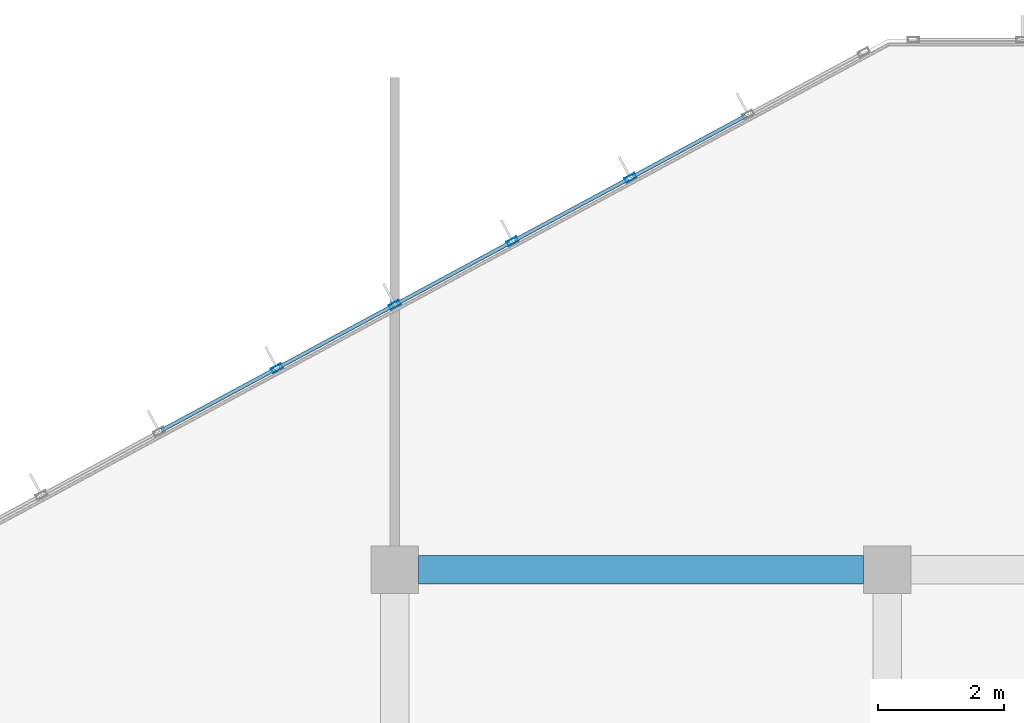
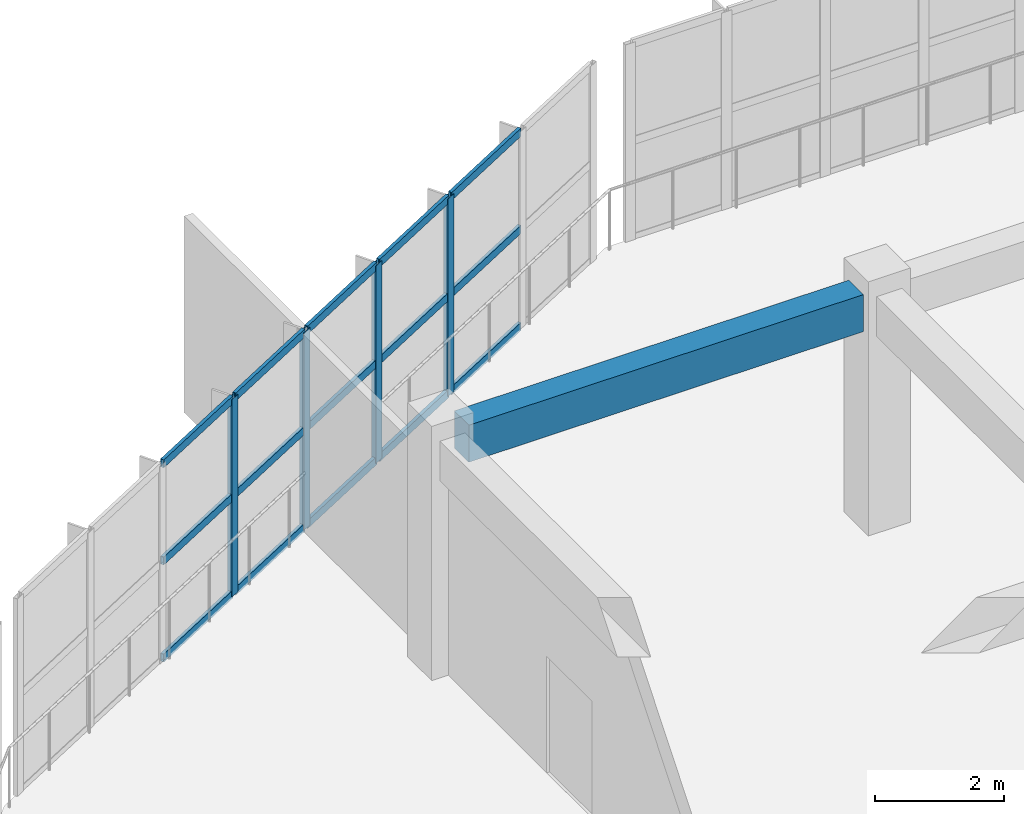
# One storey, part 44 of 167: 19 members, 1 beam, 1 element without a shape of its own.
"""IFC4 building model written with IfcOpenShell, lengths in metres."""

from ifc_helpers import new_model, si_unit, direction, frame, origin, origin_2d, place, context, subcontext, project, spatial, rectangle, hollow_rectangle, extrude, material, layer, layer_set, material_profile, profile_set, type_object, element, aggregate, save


model = new_model("IFC4")

# Units and contexts
model_context = context("Model", 3, precision=1e-05, world=origin(), true_north=direction((0.0, 1.0)))
body_context = subcontext(model_context, "Body", "Model", "MODEL_VIEW")
ifc_project = project(units=[si_unit("LENGTHUNIT", "METRE"), si_unit("AREAUNIT", "SQUARE_METRE"), si_unit("VOLUMEUNIT", "CUBIC_METRE"), si_unit("PLANEANGLEUNIT", "RADIAN"), si_unit("MASSUNIT", "GRAM", prefix="KILO")], contexts=[model_context])

# Site, building, storey
site_placement = place(None, origin())
site = spatial("IfcSite", under=ifc_project, at=site_placement, CompositionType="ELEMENT")
building_placement = place(site_placement, origin())
building = spatial("IfcBuilding", under=site, at=building_placement, Name="Zizhar Promenade General Hospital", CompositionType="ELEMENT")
storey_placement = place(building_placement, frame((0.0, 0.0, 9.60009765625)))
storey = spatial("IfcBuildingStorey", under=building, at=storey_placement, Name="L02", CompositionType="ELEMENT", Elevation=9.60009765625)

# Beam
ifc_material_1 = material(Name="Concrete C35/45", Category="concrete")
ifc_material_profile_1 = material_profile(ifc_material_1, rectangle(XDim=0.449951171875, YDim=0.699951171875, at=origin_2d()))
ifc_profile_set_1 = profile_set([ifc_material_profile_1], Name="Concrete C35/45")
beam_type = type_object("IfcBeamType", Name="BM-RC-450x700", PredefinedType="BEAM", material=ifc_profile_set_1)
beam_placement = place(storey_placement, frame((23.77490234375, 75.60009765625, 4.119873046875), z_axis=(1.0, 0.0, 0.0), x_axis=(0.0, 1.0, 0.0)))
element("IfcBeam", 1, at=beam_placement, inside=storey, type_object=beam_type, Name="Grid Beam X L02 (3-9)", PredefinedType="BEAM", context=body_context, shape_type="SweptSolid", body=[
    extrude(rectangle(XDim=0.449951171875, YDim=0.699951171875, at=origin_2d()), origin(), (0.0, 0.0, 1.0), 7.050048828125),
])

# Curtain wall, members
ifc_material_2 = material(Name="Anodised aluminium 6063-T6 and low-E glass", Category="aluminium")
ifc_layer = layer(ifc_material_2, 0.159912109375)
ifc_layer_set = layer_set([ifc_layer], Name="Anodised aluminium 6063-T6 and low-E glass")
curtain_wall_type = type_object("IfcCurtainWallType", Name="CW-DT-MOD2", PredefinedType="NOTDEFINED", material=ifc_layer_set)
curtain_wall_placement = place(storey_placement, origin())
curtain_wall = element("IfcCurtainWall", 2, at=curtain_wall_placement, inside=storey, type_object=curtain_wall_type, Name="West Diagnostic Arm Glazed Curtain Wall L02-NW3", PredefinedType="NOTDEFINED")
ifc_material_3 = material(Name="Anodised aluminium 6063-T6", Category="aluminium")
ifc_material_profile_2 = material_profile(ifc_material_3, hollow_rectangle(XDim=0.080078125, YDim=0.179931640625, WallThickness=0.0048828125, at=origin_2d()))
ifc_profile_set_2 = profile_set([ifc_material_profile_2], Name="Anodised aluminium 6063-T6")
member_type_1 = type_object("IfcMemberType", Name="CWM-ALU-180x80", PredefinedType="MULLION", material=ifc_profile_set_2)
member_1_placement = place(storey_placement, frame((21.53369140625, 78.795166015625, 0.0), z_axis=(0.0, 0.0, 1.0), x_axis=(-0.474097009774, 0.880472614749, 0.0)))
member_1 = element("IfcMember", 3, at=member_1_placement, type_object=member_type_1, Name="CW-08 mullion 4", PredefinedType="MULLION", context=body_context, shape_type="SweptSolid", body=[
    extrude(hollow_rectangle(XDim=0.080078125, YDim=0.179931640625, WallThickness=0.0048828125, at=origin_2d()), origin(), (0.0, 0.0, 1.0), 3.72998046875),
])
member_2_placement = place(storey_placement, frame((23.39990234375, 79.800048828125, 0.0), z_axis=(0.0, 0.0, 1.0), x_axis=(-0.474097009774, 0.880472614749, 0.0)))
member_2 = element("IfcMember", 4, at=member_2_placement, type_object=member_type_1, Name="CW-08 mullion 5", PredefinedType="MULLION", context=body_context, shape_type="SweptSolid", body=[
    extrude(hollow_rectangle(XDim=0.080078125, YDim=0.179931640625, WallThickness=0.0048828125, at=origin_2d()), origin(), (0.0, 0.0, 1.0), 3.72998046875),
])
member_3_placement = place(storey_placement, frame((25.266357421875, 80.804931640625, 0.0), z_axis=(0.0, 0.0, 1.0), x_axis=(-0.474097009774, 0.880472614749, 0.0)))
member_3 = element("IfcMember", 5, at=member_3_placement, type_object=member_type_1, Name="CW-08 mullion 6", PredefinedType="MULLION", context=body_context, shape_type="SweptSolid", body=[
    extrude(hollow_rectangle(XDim=0.080078125, YDim=0.179931640625, WallThickness=0.0048828125, at=origin_2d()), origin(), (0.0, 0.0, 1.0), 3.72998046875),
])
member_4_placement = place(storey_placement, frame((27.1328125, 81.809814453125, 0.0), z_axis=(0.0, 0.0, 1.0), x_axis=(-0.474097009774, 0.880472614749, 0.0)))
member_4 = element("IfcMember", 6, at=member_4_placement, type_object=member_type_1, Name="CW-08 mullion 7", PredefinedType="MULLION", context=body_context, shape_type="SweptSolid", body=[
    extrude(hollow_rectangle(XDim=0.080078125, YDim=0.179931640625, WallThickness=0.0048828125, at=origin_2d()), origin(), (0.0, 0.0, 1.0), 3.72998046875),
])
ifc_material_4 = material(Name="Anodised aluminium 6063-T6", Category="aluminium")
ifc_material_profile_3 = material_profile(ifc_material_4, hollow_rectangle(XDim=0.06005859375, YDim=0.14990234375, WallThickness=0.00390625, at=origin_2d()))
ifc_profile_set_3 = profile_set([ifc_material_profile_3], Name="Anodised aluminium 6063-T6")
member_type_2 = type_object("IfcMemberType", Name="CWT-ALU-150x60", PredefinedType="USERDEFINED", material=ifc_profile_set_3)
member_5_placement = place(storey_placement, frame((19.70263671875, 77.80908203125, 0.02978515625), z_axis=(0.880467256516, 0.47410696072, 0.0), x_axis=(-0.47410696072, 0.880467256516, 0.0)))
member_5 = element("IfcMember", 7, at=member_5_placement, type_object=member_type_2, Name="CW-08 transom 3.1", ObjectType="TRANSOM", PredefinedType="USERDEFINED", context=body_context, shape_type="SweptSolid", body=[
    extrude(hollow_rectangle(XDim=0.06005859375, YDim=0.14990234375, WallThickness=0.00390625, at=origin_2d()), origin(), (0.0, 0.0, 1.0), 2.039794921875),
])
member_6_placement = place(storey_placement, frame((19.70263671875, 77.80908203125, 1.864990234375), z_axis=(0.880467256516, 0.47410696072, 0.0), x_axis=(-0.47410696072, 0.880467256516, 0.0)))
member_6 = element("IfcMember", 8, at=member_6_placement, type_object=member_type_2, Name="CW-08 transom 3.2", ObjectType="TRANSOM", PredefinedType="USERDEFINED", context=body_context, shape_type="SweptSolid", body=[
    extrude(hollow_rectangle(XDim=0.06005859375, YDim=0.14990234375, WallThickness=0.00390625, at=origin_2d()), origin(), (0.0, 0.0, 1.0), 2.039794921875),
])
member_7_placement = place(storey_placement, frame((19.70263671875, 77.80908203125, 3.699951171875), z_axis=(0.880467256516, 0.47410696072, 0.0), x_axis=(-0.47410696072, 0.880467256516, 0.0)))
member_7 = element("IfcMember", 9, at=member_7_placement, type_object=member_type_2, Name="CW-08 transom 3.3", ObjectType="TRANSOM", PredefinedType="USERDEFINED", context=body_context, shape_type="SweptSolid", body=[
    extrude(hollow_rectangle(XDim=0.06005859375, YDim=0.14990234375, WallThickness=0.00390625, at=origin_2d()), origin(), (0.0, 0.0, 1.0), 2.039794921875),
])
member_8_placement = place(storey_placement, frame((21.56884765625, 78.81396484375, 0.02978515625), z_axis=(0.880467256516, 0.47410696072, 0.0), x_axis=(-0.47410696072, 0.880467256516, 0.0)))
member_8 = element("IfcMember", 10, at=member_8_placement, type_object=member_type_2, Name="CW-08 transom 4.1", ObjectType="TRANSOM", PredefinedType="USERDEFINED", context=body_context, shape_type="SweptSolid", body=[
    extrude(hollow_rectangle(XDim=0.06005859375, YDim=0.14990234375, WallThickness=0.00390625, at=origin_2d()), origin(), (0.0, 0.0, 1.0), 2.039794921875),
])
member_9_placement = place(storey_placement, frame((21.56884765625, 78.81396484375, 1.864990234375), z_axis=(0.880467256516, 0.47410696072, 0.0), x_axis=(-0.47410696072, 0.880467256516, 0.0)))
member_9 = element("IfcMember", 11, at=member_9_placement, type_object=member_type_2, Name="CW-08 transom 4.2", ObjectType="TRANSOM", PredefinedType="USERDEFINED", context=body_context, shape_type="SweptSolid", body=[
    extrude(hollow_rectangle(XDim=0.06005859375, YDim=0.14990234375, WallThickness=0.00390625, at=origin_2d()), origin(), (0.0, 0.0, 1.0), 2.039794921875),
])
member_10_placement = place(storey_placement, frame((21.56884765625, 78.81396484375, 3.699951171875), z_axis=(0.880467256516, 0.47410696072, 0.0), x_axis=(-0.47410696072, 0.880467256516, 0.0)))
member_10 = element("IfcMember", 12, at=member_10_placement, type_object=member_type_2, Name="CW-08 transom 4.3", ObjectType="TRANSOM", PredefinedType="USERDEFINED", context=body_context, shape_type="SweptSolid", body=[
    extrude(hollow_rectangle(XDim=0.06005859375, YDim=0.14990234375, WallThickness=0.00390625, at=origin_2d()), origin(), (0.0, 0.0, 1.0), 2.039794921875),
])
member_11_placement = place(storey_placement, frame((23.435302734375, 79.81884765625, 0.02978515625), z_axis=(0.880467256516, 0.47410696072, 0.0), x_axis=(-0.47410696072, 0.880467256516, 0.0)))
member_11 = element("IfcMember", 13, at=member_11_placement, type_object=member_type_2, Name="CW-08 transom 5.1", ObjectType="TRANSOM", PredefinedType="USERDEFINED", context=body_context, shape_type="SweptSolid", body=[
    extrude(hollow_rectangle(XDim=0.06005859375, YDim=0.14990234375, WallThickness=0.00390625, at=origin_2d()), origin(), (0.0, 0.0, 1.0), 2.039794921875),
])
member_12_placement = place(storey_placement, frame((23.435302734375, 79.81884765625, 1.864990234375), z_axis=(0.880467256516, 0.47410696072, 0.0), x_axis=(-0.47410696072, 0.880467256516, 0.0)))
member_12 = element("IfcMember", 14, at=member_12_placement, type_object=member_type_2, Name="CW-08 transom 5.2", ObjectType="TRANSOM", PredefinedType="USERDEFINED", context=body_context, shape_type="SweptSolid", body=[
    extrude(hollow_rectangle(XDim=0.06005859375, YDim=0.14990234375, WallThickness=0.00390625, at=origin_2d()), origin(), (0.0, 0.0, 1.0), 2.039794921875),
])
member_13_placement = place(storey_placement, frame((23.435302734375, 79.81884765625, 3.699951171875), z_axis=(0.880467256516, 0.47410696072, 0.0), x_axis=(-0.47410696072, 0.880467256516, 0.0)))
member_13 = element("IfcMember", 15, at=member_13_placement, type_object=member_type_2, Name="CW-08 transom 5.3", ObjectType="TRANSOM", PredefinedType="USERDEFINED", context=body_context, shape_type="SweptSolid", body=[
    extrude(hollow_rectangle(XDim=0.06005859375, YDim=0.14990234375, WallThickness=0.00390625, at=origin_2d()), origin(), (0.0, 0.0, 1.0), 2.039794921875),
])
member_14_placement = place(storey_placement, frame((25.301513671875, 80.823974609375, 0.02978515625), z_axis=(0.880467256516, 0.47410696072, 0.0), x_axis=(-0.47410696072, 0.880467256516, 0.0)))
member_14 = element("IfcMember", 16, at=member_14_placement, type_object=member_type_2, Name="CW-08 transom 6.1", ObjectType="TRANSOM", PredefinedType="USERDEFINED", context=body_context, shape_type="SweptSolid", body=[
    extrude(hollow_rectangle(XDim=0.06005859375, YDim=0.14990234375, WallThickness=0.00390625, at=origin_2d()), origin(), (0.0, 0.0, 1.0), 2.039794921875),
])
member_15_placement = place(storey_placement, frame((25.301513671875, 80.823974609375, 1.864990234375), z_axis=(0.880467256516, 0.47410696072, 0.0), x_axis=(-0.47410696072, 0.880467256516, 0.0)))
member_15 = element("IfcMember", 17, at=member_15_placement, type_object=member_type_2, Name="CW-08 transom 6.2", ObjectType="TRANSOM", PredefinedType="USERDEFINED", context=body_context, shape_type="SweptSolid", body=[
    extrude(hollow_rectangle(XDim=0.06005859375, YDim=0.14990234375, WallThickness=0.00390625, at=origin_2d()), origin(), (0.0, 0.0, 1.0), 2.039794921875),
])
member_16_placement = place(storey_placement, frame((25.301513671875, 80.823974609375, 3.699951171875), z_axis=(0.880467256516, 0.47410696072, 0.0), x_axis=(-0.47410696072, 0.880467256516, 0.0)))
member_16 = element("IfcMember", 18, at=member_16_placement, type_object=member_type_2, Name="CW-08 transom 6.3", ObjectType="TRANSOM", PredefinedType="USERDEFINED", context=body_context, shape_type="SweptSolid", body=[
    extrude(hollow_rectangle(XDim=0.06005859375, YDim=0.14990234375, WallThickness=0.00390625, at=origin_2d()), origin(), (0.0, 0.0, 1.0), 2.039794921875),
])
member_17_placement = place(storey_placement, frame((27.16796875, 81.828857421875, 0.02978515625), z_axis=(0.880467256516, 0.47410696072, 0.0), x_axis=(-0.47410696072, 0.880467256516, 0.0)))
member_17 = element("IfcMember", 19, at=member_17_placement, type_object=member_type_2, Name="CW-08 transom 7.1", ObjectType="TRANSOM", PredefinedType="USERDEFINED", context=body_context, shape_type="SweptSolid", body=[
    extrude(hollow_rectangle(XDim=0.06005859375, YDim=0.14990234375, WallThickness=0.00390625, at=origin_2d()), origin(), (0.0, 0.0, 1.0), 2.039794921875),
])
member_18_placement = place(storey_placement, frame((27.16796875, 81.828857421875, 1.864990234375), z_axis=(0.880467256516, 0.47410696072, 0.0), x_axis=(-0.47410696072, 0.880467256516, 0.0)))
member_18 = element("IfcMember", 20, at=member_18_placement, type_object=member_type_2, Name="CW-08 transom 7.2", ObjectType="TRANSOM", PredefinedType="USERDEFINED", context=body_context, shape_type="SweptSolid", body=[
    extrude(hollow_rectangle(XDim=0.06005859375, YDim=0.14990234375, WallThickness=0.00390625, at=origin_2d()), origin(), (0.0, 0.0, 1.0), 2.039794921875),
])
member_19_placement = place(storey_placement, frame((27.16796875, 81.828857421875, 3.699951171875), z_axis=(0.880467256516, 0.47410696072, 0.0), x_axis=(-0.47410696072, 0.880467256516, 0.0)))
member_19 = element("IfcMember", 21, at=member_19_placement, type_object=member_type_2, Name="CW-08 transom 7.3", ObjectType="TRANSOM", PredefinedType="USERDEFINED", context=body_context, shape_type="SweptSolid", body=[
    extrude(hollow_rectangle(XDim=0.06005859375, YDim=0.14990234375, WallThickness=0.00390625, at=origin_2d()), origin(), (0.0, 0.0, 1.0), 2.039794921875),
])
aggregate(curtain_wall, [member_1, member_2, member_3, member_4, member_5, member_6, member_7, member_8, member_9, member_10, member_11, member_12, member_13, member_14, member_15, member_16, member_17, member_18, member_19])

save(model, "model.ifc")
